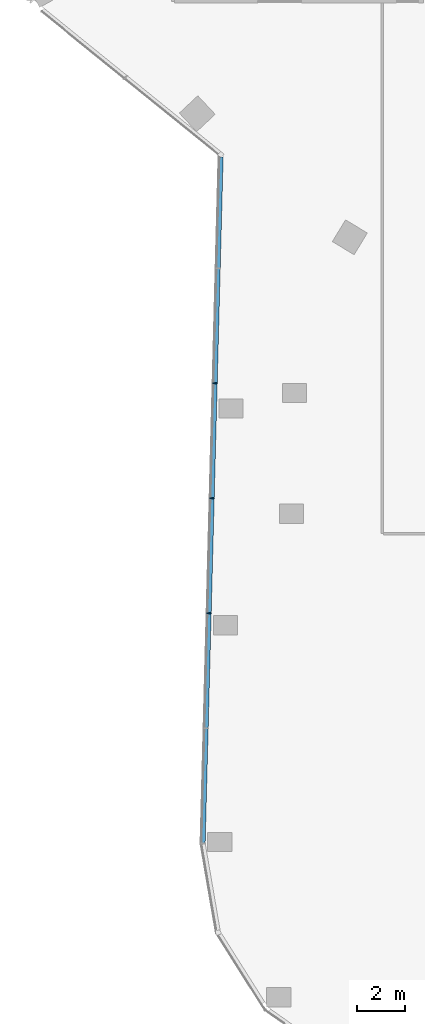
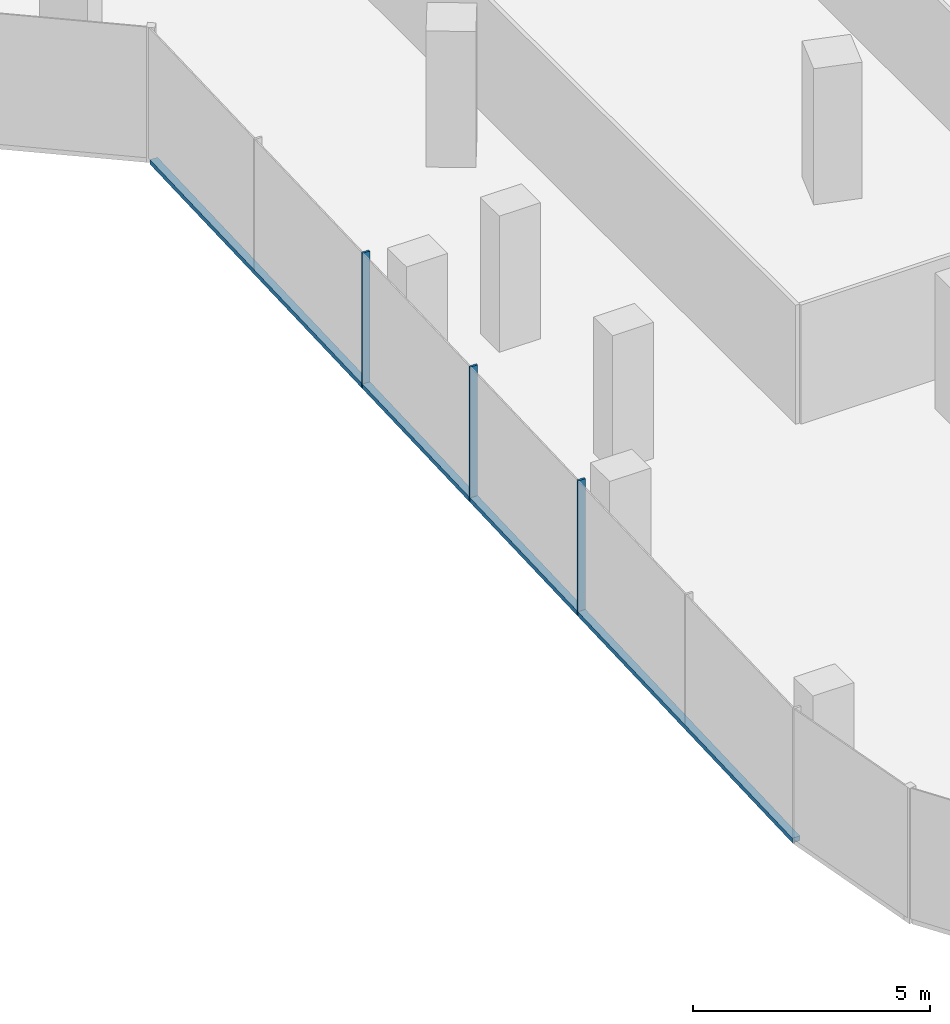
# One storey, part 4 of 26: 4 members, 1 element without a shape of its own.
"""IFC4 building model written with IfcOpenShell, lengths in metres."""

from ifc_helpers import new_model, si_unit, direction, frame, origin, origin_2d, place, context, subcontext, project, spatial, rectangle, extrude, material, material_profile, profile_set, type_object, element, aggregate, save


model = new_model("IFC4")

# Units and contexts
model_context = context("Model", 3, precision=1e-05, world=origin(), true_north=direction((0.0, 1.0)))
body_context = subcontext(model_context, "Body", "Model", "MODEL_VIEW")
ifc_project = project(units=[si_unit("LENGTHUNIT", "METRE"), si_unit("AREAUNIT", "SQUARE_METRE"), si_unit("VOLUMEUNIT", "CUBIC_METRE"), si_unit("PLANEANGLEUNIT", "RADIAN"), si_unit("MASSUNIT", "GRAM", prefix="KILO")], contexts=[model_context])

# Site, building, storey
site_placement = place(None, origin())
site = spatial("IfcSite", under=ifc_project, at=site_placement, CompositionType="ELEMENT")
building_placement = place(site_placement, origin())
building = spatial("IfcBuilding", under=site, at=building_placement, Name="Orlundy Tower", CompositionType="ELEMENT")
storey_placement = place(building_placement, frame((0.0, 0.0, 214.0)))
storey = spatial("IfcBuildingStorey", under=building, at=storey_placement, Name="L56", CompositionType="ELEMENT", Elevation=214.0)

# Curtain wall, members
ifc_material_1 = material(Name="Aluminium bronze anodised", Category="aluminium")
curtain_wall_type = type_object("IfcCurtainWallType", Name="CW1 wall", PredefinedType="NOTDEFINED", material=ifc_material_1)
curtain_wall_placement = place(storey_placement, origin())
curtain_wall = element("IfcCurtainWall", 1, at=curtain_wall_placement, inside=storey, type_object=curtain_wall_type, Name="CW1 run 00", PredefinedType="NOTDEFINED")
ifc_material_2 = material(Name="Aluminium bronze anodised", Category="aluminium")
ifc_material_profile_1 = material_profile(ifc_material_2, rectangle(XDim=0.179931640625, YDim=0.050048828125, at=origin_2d()), Name="CW1 mullion 50x180")
ifc_profile_set_1 = profile_set([ifc_material_profile_1], Name="Aluminium bronze anodised")
member_type_1 = type_object("IfcMemberType", Name="CW1 mullion 50x180", PredefinedType="MULLION", material=ifc_profile_set_1)
member_1_placement = place(storey_placement, frame((-21.1689453125, -40.948974609375, -0.39990234375), z_axis=(0.0, 0.0, 1.0), x_axis=(-0.999657234212, 0.026180414199, 0.0)))
member_1 = element("IfcMember", 2, at=member_1_placement, type_object=member_type_1, Name="CW1 mullion 3", PredefinedType="MULLION", context=body_context, shape_type="SweptSolid", body=[
    extrude(rectangle(XDim=0.179931640625, YDim=0.050048828125, at=origin_2d()), origin(), (0.0, 0.0, 1.0), 3.47998046875),
])
member_2_placement = place(storey_placement, frame((-21.04443359375, -36.195068359375, -0.39990234375), z_axis=(0.0, 0.0, 1.0), x_axis=(-0.999657234212, 0.026180414199, 0.0)))
member_2 = element("IfcMember", 3, at=member_2_placement, type_object=member_type_1, Name="CW1 mullion 4", PredefinedType="MULLION", context=body_context, shape_type="SweptSolid", body=[
    extrude(rectangle(XDim=0.179931640625, YDim=0.050048828125, at=origin_2d()), origin(), (0.0, 0.0, 1.0), 3.47998046875),
])
member_3_placement = place(storey_placement, frame((-20.919921875, -31.44140625, -0.39990234375), z_axis=(0.0, 0.0, 1.0), x_axis=(-0.999657234212, 0.026180414199, 0.0)))
member_3 = element("IfcMember", 4, at=member_3_placement, type_object=member_type_1, Name="CW1 mullion 5", PredefinedType="MULLION", context=body_context, shape_type="SweptSolid", body=[
    extrude(rectangle(XDim=0.179931640625, YDim=0.050048828125, at=origin_2d()), origin(), (0.0, 0.0, 1.0), 3.47998046875),
])
ifc_material_3 = material(Name="Aluminium bronze anodised", Category="aluminium")
ifc_material_profile_2 = material_profile(ifc_material_3, rectangle(XDim=0.179931640625, YDim=0.1201171875, at=origin_2d()), Name="CW1 transom 180x120")
ifc_profile_set_2 = profile_set([ifc_material_profile_2], Name="Aluminium bronze anodised")
member_type_2 = type_object("IfcMemberType", Name="CW1 transom 180x120", PredefinedType="USERDEFINED", material=ifc_profile_set_2)
member_4_placement = place(storey_placement, frame((-21.41748046875, -50.4404296875, -0.340087890625), z_axis=(0.026179900533, 0.999657247664, 0.0), x_axis=(-0.999657247664, 0.026179900533, 0.0)))
member_4 = element("IfcMember", 5, at=member_4_placement, type_object=member_type_2, Name="CW1 transom", ObjectType="TRANSOM", PredefinedType="USERDEFINED", context=body_context, shape_type="SweptSolid", body=[
    extrude(rectangle(XDim=0.179931640625, YDim=0.1201171875, at=origin_2d()), origin(), (0.0, 0.0, 1.0), 28.35888671875),
])
aggregate(curtain_wall, [member_1, member_2, member_3, member_4])

save(model, "model.ifc")
